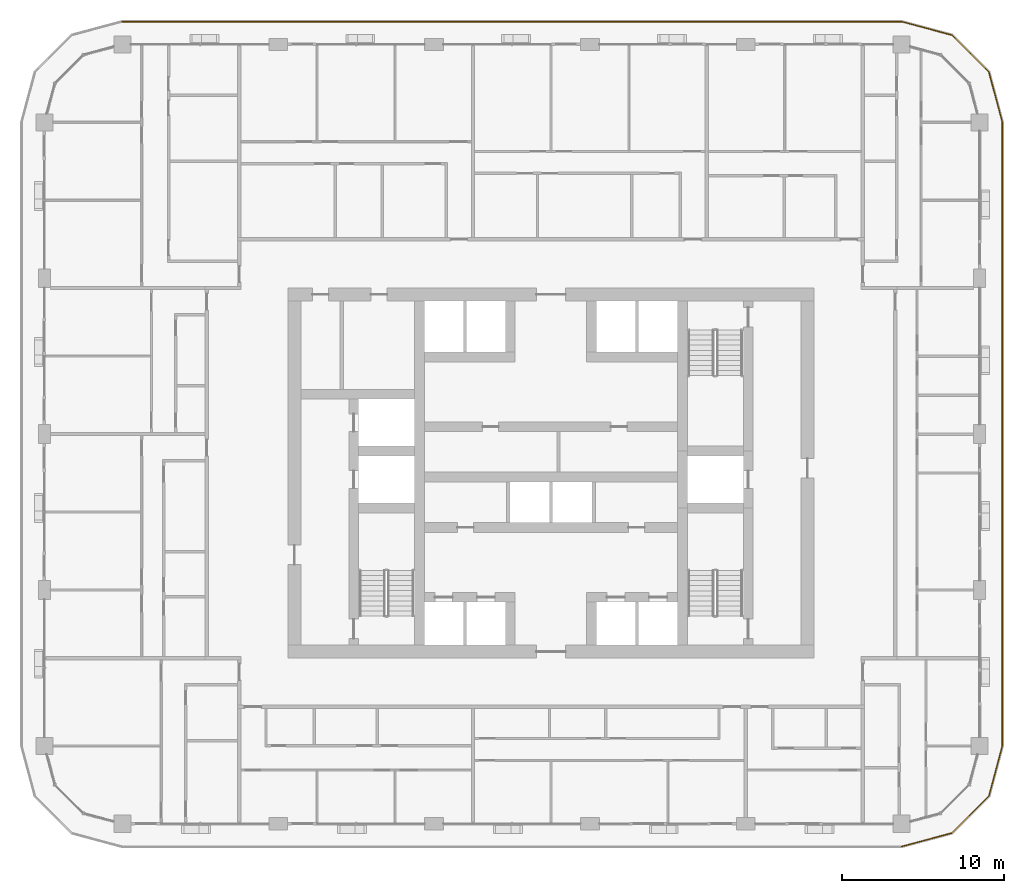
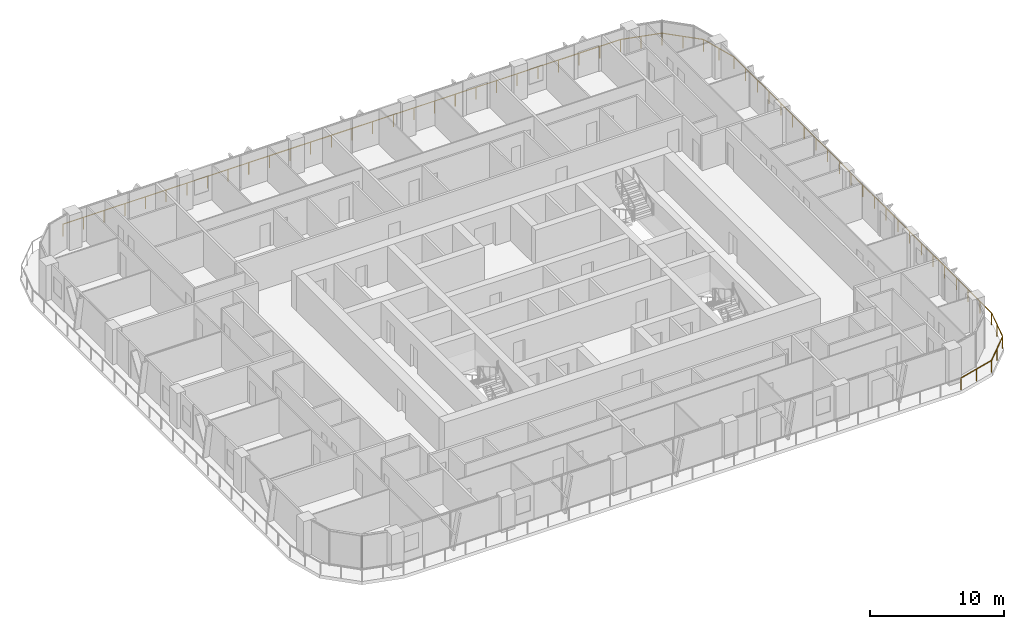
# One storey, part 20 of 22: 1 railing.
"""IFC4 building model written with IfcOpenShell, lengths in metres."""

from ifc_helpers import new_model, si_unit, direction, frame, origin, origin_2d, place, context, subcontext, project, spatial, circle, extrude, material, type_object, element, save


model = new_model("IFC4")

# Units and contexts
model_context = context("Model", 3, precision=1e-05, world=origin(), true_north=direction((0.0, 1.0)))
body_context = subcontext(model_context, "Body", "Model", "MODEL_VIEW")
ifc_project = project(units=[si_unit("LENGTHUNIT", "METRE"), si_unit("AREAUNIT", "SQUARE_METRE"), si_unit("VOLUMEUNIT", "CUBIC_METRE"), si_unit("PLANEANGLEUNIT", "RADIAN"), si_unit("MASSUNIT", "GRAM", prefix="KILO")], contexts=[model_context])

# Site, building, storey
site_placement = place(None, origin())
site = spatial("IfcSite", under=ifc_project, at=site_placement, CompositionType="ELEMENT")
building_placement = place(site_placement, origin())
building = spatial("IfcBuilding", under=site, at=building_placement, Name="Madar Terraces", CompositionType="ELEMENT")
storey_placement = place(building_placement, frame((0.0, 0.0, 119.10009765625)))
storey = spatial("IfcBuildingStorey", under=building, at=storey_placement, Name="L30", CompositionType="ELEMENT", Elevation=119.10009765625)

# Railing
ifc_material = material(Name="Glass, safety glazing, with stainless steel posts", Category="steel")
railing_type = type_object("IfcRailingType", Name="Balcony glass guard 1100", PredefinedType="GUARDRAIL", material=ifc_material)
railing_placement = place(storey_placement, frame((52.800048828125, 3.39990234375, 0.0)))
element("IfcRailing", 1, at=railing_placement, inside=storey, type_object=railing_type, Name="Balcony guard", PredefinedType="GUARDRAIL", context=body_context, shape_type="SweptSolid", body=[
    extrude(circle(Radius=0.02392578125, at=origin_2d()), frame((0.0, 0.0, 1.076171875), z_axis=(0.965909675762, 0.25887931217, 0.0), x_axis=(-0.25887931217, 0.965909675762, 0.0)), (0.0, 0.0, 1.0), 3.209228515625),
    extrude(circle(Radius=0.02392578125, at=origin_2d()), frame((3.099853515625, 0.830810546875, 1.076171875), z_axis=(0.707144815061, 0.707068745266, 0.0), x_axis=(-0.707068745266, 0.707144815061, 0.0)), (0.0, 0.0, 1.0), 3.20947265625),
    extrude(circle(Radius=0.02392578125, at=origin_2d()), frame((5.369384765625, 3.10009765625, 1.076171875), z_axis=(0.258789317819, 0.9659337912, 0.0), x_axis=(-0.9659337912, 0.258789317819, 0.0)), (0.0, 0.0, 1.0), 3.20947265625),
    extrude(circle(Radius=0.02392578125, at=origin_2d()), frame((6.199951171875, 6.2001953125, 1.076171875), z_axis=(0.0, 1.0, 0.0), x_axis=(-1.0, 0.0, 0.0)), (0.0, 0.0, 1.0), 38.39990234375),
    extrude(circle(Radius=0.02392578125, at=origin_2d()), frame((6.199951171875, 44.60009765625, 1.076171875), z_axis=(-0.258789317819, 0.9659337912, 0.0), x_axis=(-0.9659337912, -0.258789317819, 0.0)), (0.0, 0.0, 1.0), 3.20947265625),
    extrude(circle(Radius=0.02392578125, at=origin_2d()), frame((5.369384765625, 47.7001953125, 1.076171875), z_axis=(-0.707144815061, 0.707068745266, 0.0), x_axis=(-0.707068745266, -0.707144815061, 0.0)), (0.0, 0.0, 1.0), 3.20947265625),
    extrude(circle(Radius=0.02392578125, at=origin_2d()), frame((3.099853515625, 49.969482421875, 1.076171875), z_axis=(-0.965928696102, 0.258808334578, 0.0), x_axis=(-0.258808334578, -0.965928696102, 0.0)), (0.0, 0.0, 1.0), 3.209228515625),
    extrude(circle(Radius=0.02392578125, at=origin_2d()), frame((0.0, 50.800048828125, 1.076171875), z_axis=(-1.0, 0.0, 0.0), x_axis=(0.0, -1.0, 0.0)), (0.0, 0.0, 1.0), 48.0),
    extrude(circle(Radius=0.02099609375, at=origin_2d()), origin(), (0.0, 0.0, 1.0), 1.052001953125),
    extrude(circle(Radius=0.02099609375, at=origin_2d()), frame((1.5498046875, 0.41552734375, 0.0)), (0.0, 0.0, 1.0), 1.052001953125),
    extrude(circle(Radius=0.02099609375, at=origin_2d()), frame((3.099853515625, 0.830810546875, 0.0)), (0.0, 0.0, 1.0), 1.052001953125),
    extrude(circle(Radius=0.02099609375, at=origin_2d()), frame((4.234619140625, 1.96533203125, 0.0)), (0.0, 0.0, 1.0), 1.052001953125),
    extrude(circle(Radius=0.02099609375, at=origin_2d()), frame((5.369384765625, 3.10009765625, 0.0)), (0.0, 0.0, 1.0), 1.052001953125),
    extrude(circle(Radius=0.02099609375, at=origin_2d()), frame((5.78466796875, 4.650146484375, 0.0)), (0.0, 0.0, 1.0), 1.052001953125),
    extrude(circle(Radius=0.02099609375, at=origin_2d()), frame((6.199951171875, 6.2001953125, 0.0)), (0.0, 0.0, 1.0), 1.052001953125),
    extrude(circle(Radius=0.02099609375, at=origin_2d()), frame((6.199951171875, 7.945556640625, 0.0)), (0.0, 0.0, 1.0), 1.052001953125),
    extrude(circle(Radius=0.02099609375, at=origin_2d()), frame((6.199951171875, 9.691162109375, 0.0)), (0.0, 0.0, 1.0), 1.052001953125),
    extrude(circle(Radius=0.02099609375, at=origin_2d()), frame((6.199951171875, 11.4365234375, 0.0)), (0.0, 0.0, 1.0), 1.052001953125),
    extrude(circle(Radius=0.02099609375, at=origin_2d()), frame((6.199951171875, 13.181884765625, 0.0)), (0.0, 0.0, 1.0), 1.052001953125),
    extrude(circle(Radius=0.02099609375, at=origin_2d()), frame((6.199951171875, 14.927490234375, 0.0)), (0.0, 0.0, 1.0), 1.052001953125),
    extrude(circle(Radius=0.02099609375, at=origin_2d()), frame((6.199951171875, 16.6728515625, 0.0)), (0.0, 0.0, 1.0), 1.052001953125),
    extrude(circle(Radius=0.02099609375, at=origin_2d()), frame((6.199951171875, 18.41845703125, 0.0)), (0.0, 0.0, 1.0), 1.052001953125),
    extrude(circle(Radius=0.02099609375, at=origin_2d()), frame((6.199951171875, 20.163818359375, 0.0)), (0.0, 0.0, 1.0), 1.052001953125),
    extrude(circle(Radius=0.02099609375, at=origin_2d()), frame((6.199951171875, 21.9091796875, 0.0)), (0.0, 0.0, 1.0), 1.052001953125),
    extrude(circle(Radius=0.02099609375, at=origin_2d()), frame((6.199951171875, 23.65478515625, 0.0)), (0.0, 0.0, 1.0), 1.052001953125),
    extrude(circle(Radius=0.02099609375, at=origin_2d()), frame((6.199951171875, 25.400146484375, 0.0)), (0.0, 0.0, 1.0), 1.052001953125),
    extrude(circle(Radius=0.02099609375, at=origin_2d()), frame((6.199951171875, 27.1455078125, 0.0)), (0.0, 0.0, 1.0), 1.052001953125),
    extrude(circle(Radius=0.02099609375, at=origin_2d()), frame((6.199951171875, 28.89111328125, 0.0)), (0.0, 0.0, 1.0), 1.052001953125),
    extrude(circle(Radius=0.02099609375, at=origin_2d()), frame((6.199951171875, 30.636474609375, 0.0)), (0.0, 0.0, 1.0), 1.052001953125),
    extrude(circle(Radius=0.02099609375, at=origin_2d()), frame((6.199951171875, 32.3818359375, 0.0)), (0.0, 0.0, 1.0), 1.052001953125),
    extrude(circle(Radius=0.02099609375, at=origin_2d()), frame((6.199951171875, 34.12744140625, 0.0)), (0.0, 0.0, 1.0), 1.052001953125),
    extrude(circle(Radius=0.02099609375, at=origin_2d()), frame((6.199951171875, 35.872802734375, 0.0)), (0.0, 0.0, 1.0), 1.052001953125),
    extrude(circle(Radius=0.02099609375, at=origin_2d()), frame((6.199951171875, 37.618408203125, 0.0)), (0.0, 0.0, 1.0), 1.052001953125),
    extrude(circle(Radius=0.02099609375, at=origin_2d()), frame((6.199951171875, 39.36376953125, 0.0)), (0.0, 0.0, 1.0), 1.052001953125),
    extrude(circle(Radius=0.02099609375, at=origin_2d()), frame((6.199951171875, 41.109130859375, 0.0)), (0.0, 0.0, 1.0), 1.052001953125),
    extrude(circle(Radius=0.02099609375, at=origin_2d()), frame((6.199951171875, 42.854736328125, 0.0)), (0.0, 0.0, 1.0), 1.052001953125),
    extrude(circle(Radius=0.02099609375, at=origin_2d()), frame((6.199951171875, 44.60009765625, 0.0)), (0.0, 0.0, 1.0), 1.052001953125),
    extrude(circle(Radius=0.02099609375, at=origin_2d()), frame((5.78466796875, 46.150146484375, 0.0)), (0.0, 0.0, 1.0), 1.052001953125),
    extrude(circle(Radius=0.02099609375, at=origin_2d()), frame((5.369384765625, 47.7001953125, 0.0)), (0.0, 0.0, 1.0), 1.052001953125),
    extrude(circle(Radius=0.02099609375, at=origin_2d()), frame((4.234619140625, 48.8349609375, 0.0)), (0.0, 0.0, 1.0), 1.052001953125),
    extrude(circle(Radius=0.02099609375, at=origin_2d()), frame((3.099853515625, 49.969482421875, 0.0)), (0.0, 0.0, 1.0), 1.052001953125),
    extrude(circle(Radius=0.02099609375, at=origin_2d()), frame((1.5498046875, 50.384765625, 0.0)), (0.0, 0.0, 1.0), 1.052001953125),
    extrude(circle(Radius=0.02099609375, at=origin_2d()), frame((0.0, 50.800048828125, 0.0)), (0.0, 0.0, 1.0), 1.052001953125),
    extrude(circle(Radius=0.02099609375, at=origin_2d()), frame((-1.77783203125, 50.800048828125, 0.0)), (0.0, 0.0, 1.0), 1.052001953125),
    extrude(circle(Radius=0.02099609375, at=origin_2d()), frame((-3.5556640625, 50.800048828125, 0.0)), (0.0, 0.0, 1.0), 1.052001953125),
    extrude(circle(Radius=0.02099609375, at=origin_2d()), frame((-5.333251953125, 50.800048828125, 0.0)), (0.0, 0.0, 1.0), 1.052001953125),
    extrude(circle(Radius=0.02099609375, at=origin_2d()), frame((-7.111083984375, 50.800048828125, 0.0)), (0.0, 0.0, 1.0), 1.052001953125),
    extrude(circle(Radius=0.02099609375, at=origin_2d()), frame((-8.888916015625, 50.800048828125, 0.0)), (0.0, 0.0, 1.0), 1.052001953125),
    extrude(circle(Radius=0.02099609375, at=origin_2d()), frame((-10.666748046875, 50.800048828125, 0.0)), (0.0, 0.0, 1.0), 1.052001953125),
    extrude(circle(Radius=0.02099609375, at=origin_2d()), frame((-12.4443359375, 50.800048828125, 0.0)), (0.0, 0.0, 1.0), 1.052001953125),
    extrude(circle(Radius=0.02099609375, at=origin_2d()), frame((-14.22216796875, 50.800048828125, 0.0)), (0.0, 0.0, 1.0), 1.052001953125),
    extrude(circle(Radius=0.02099609375, at=origin_2d()), frame((-16.0, 50.800048828125, 0.0)), (0.0, 0.0, 1.0), 1.052001953125),
    extrude(circle(Radius=0.02099609375, at=origin_2d()), frame((-17.77783203125, 50.800048828125, 0.0)), (0.0, 0.0, 1.0), 1.052001953125),
    extrude(circle(Radius=0.02099609375, at=origin_2d()), frame((-19.5556640625, 50.800048828125, 0.0)), (0.0, 0.0, 1.0), 1.052001953125),
    extrude(circle(Radius=0.02099609375, at=origin_2d()), frame((-21.333251953125, 50.800048828125, 0.0)), (0.0, 0.0, 1.0), 1.052001953125),
    extrude(circle(Radius=0.02099609375, at=origin_2d()), frame((-23.111083984375, 50.800048828125, 0.0)), (0.0, 0.0, 1.0), 1.052001953125),
    extrude(circle(Radius=0.02099609375, at=origin_2d()), frame((-24.888916015625, 50.800048828125, 0.0)), (0.0, 0.0, 1.0), 1.052001953125),
    extrude(circle(Radius=0.02099609375, at=origin_2d()), frame((-26.666748046875, 50.800048828125, 0.0)), (0.0, 0.0, 1.0), 1.052001953125),
    extrude(circle(Radius=0.02099609375, at=origin_2d()), frame((-28.4443359375, 50.800048828125, 0.0)), (0.0, 0.0, 1.0), 1.052001953125),
    extrude(circle(Radius=0.02099609375, at=origin_2d()), frame((-30.22216796875, 50.800048828125, 0.0)), (0.0, 0.0, 1.0), 1.052001953125),
    extrude(circle(Radius=0.02099609375, at=origin_2d()), frame((-32.0, 50.800048828125, 0.0)), (0.0, 0.0, 1.0), 1.052001953125),
    extrude(circle(Radius=0.02099609375, at=origin_2d()), frame((-33.77783203125, 50.800048828125, 0.0)), (0.0, 0.0, 1.0), 1.052001953125),
    extrude(circle(Radius=0.02099609375, at=origin_2d()), frame((-35.5556640625, 50.800048828125, 0.0)), (0.0, 0.0, 1.0), 1.052001953125),
    extrude(circle(Radius=0.02099609375, at=origin_2d()), frame((-37.333251953125, 50.800048828125, 0.0)), (0.0, 0.0, 1.0), 1.052001953125),
    extrude(circle(Radius=0.02099609375, at=origin_2d()), frame((-39.111083984375, 50.800048828125, 0.0)), (0.0, 0.0, 1.0), 1.052001953125),
    extrude(circle(Radius=0.02099609375, at=origin_2d()), frame((-40.888916015625, 50.800048828125, 0.0)), (0.0, 0.0, 1.0), 1.052001953125),
    extrude(circle(Radius=0.02099609375, at=origin_2d()), frame((-42.666748046875, 50.800048828125, 0.0)), (0.0, 0.0, 1.0), 1.052001953125),
    extrude(circle(Radius=0.02099609375, at=origin_2d()), frame((-44.4443359375, 50.800048828125, 0.0)), (0.0, 0.0, 1.0), 1.052001953125),
    extrude(circle(Radius=0.02099609375, at=origin_2d()), frame((-46.22216796875, 50.800048828125, 0.0)), (0.0, 0.0, 1.0), 1.052001953125),
    extrude(circle(Radius=0.02099609375, at=origin_2d()), frame((-48.0, 50.800048828125, 0.0)), (0.0, 0.0, 1.0), 1.052001953125),
])

save(model, "model.ifc")
